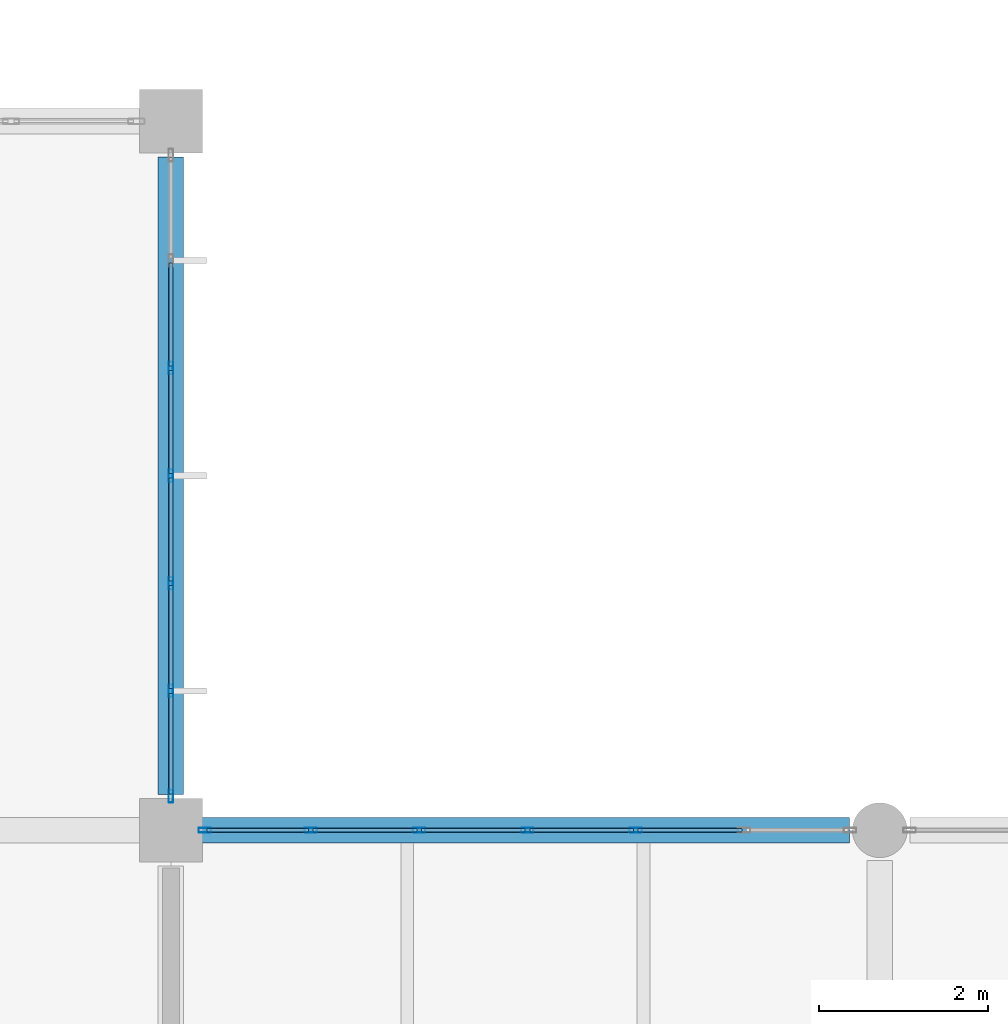
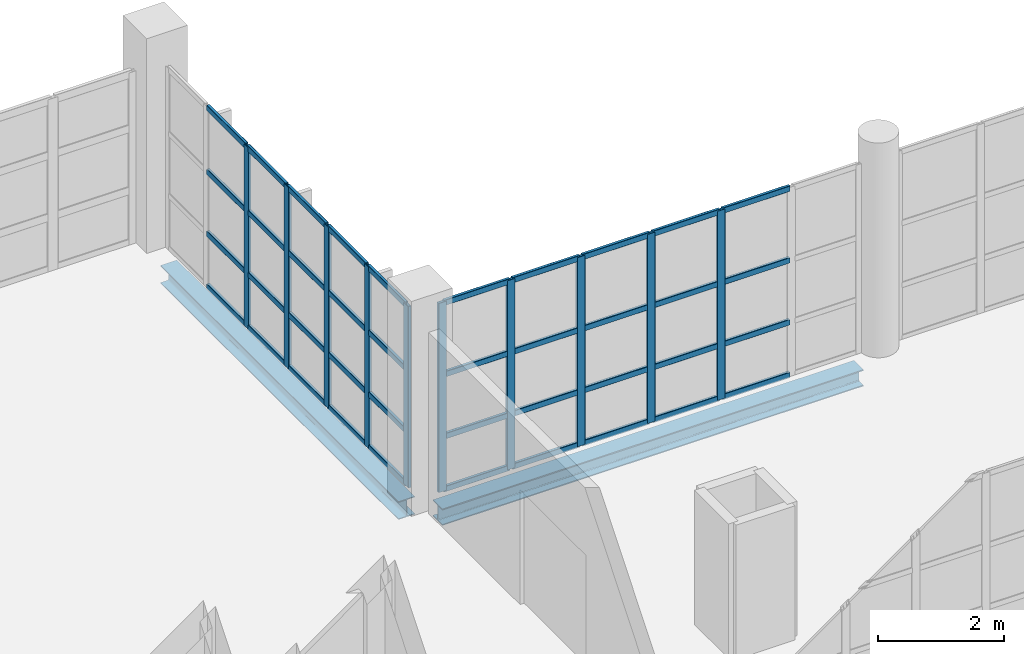
# One storey, part 76 of 177: 50 members, 2 beams, 2 elements without a shape of their own.
"""IFC4 building model written with IfcOpenShell, lengths in metres."""

import ifcopenshell
import ifcopenshell.guid

model = None  # the IFC model being written
_history = None  # IfcOwnerHistory: only IFC2X3 demands one
_inside = {}  # id of a spatial element -> (the spatial element, [elements in it])
_under = {}  # id of a project, library or spatial element -> (it, [spatial elements below it])
_declared = {}  # id of a project -> (the project, [libraries it declares])
_typed = {}  # id of a type object -> (the type object, [elements of that type])
_made_of = {}  # id of a material, layer set ... -> (it, [elements and type objects made of it])


def new_model(schema):
    """Start an empty IFC model of exactly this schema.

    Asked for "IFC4X3", IfcOpenShell would pick the latest addendum, in which some entities
    have other attributes; the version numbers below select the first issue.
    IFC2X3 requires an IfcOwnerHistory on every rooted entity: one is made here for all.
    """
    global model, _history
    if schema == "IFC4X3":
        model = ifcopenshell.file(schema_version=(4, 3, 0, 0))
    else:
        model = ifcopenshell.file(schema=schema)
    _inside.clear()
    _under.clear()
    _declared.clear()
    _typed.clear()
    _made_of.clear()
    _history = None
    if model.schema == "IFC2X3":
        org = make("IfcOrganization", Name="unknown")
        user = make(
            "IfcPersonAndOrganization",
            ThePerson=make("IfcPerson", FamilyName="unknown"),
            TheOrganization=org,
        )
        app = make(
            "IfcApplication",
            ApplicationDeveloper=org,
            Version="unknown",
            ApplicationFullName="unknown",
            ApplicationIdentifier="unknown",
        )
        _history = make(
            "IfcOwnerHistory",
            OwningUser=user,
            OwningApplication=app,
            ChangeAction="ADDED",
            CreationDate=0,
        )
    return model


def make(cls, **values):
    """One entity of the class cls with the attributes given. An attribute that is None is left unset."""
    return model.create_entity(
        cls, **{name: value for name, value in values.items() if value is not None}
    )


def rooted(cls, **values):
    """An entity with a GlobalId (a new one), such as an element, a storey or a relation."""
    return make(cls, GlobalId=ifcopenshell.guid.new(), OwnerHistory=_history, **values)


def si_unit(unit_type, name, prefix=None):
    """IfcSIUnit, for example si_unit("LENGTHUNIT", "METRE", prefix="MILLI")."""
    return make("IfcSIUnit", UnitType=unit_type, Prefix=prefix, Name=name)


def assignment(units):
    """IfcUnitAssignment: the units of a project."""
    return None if units is None else make("IfcUnitAssignment", Units=units)


def point(xyz):
    """IfcCartesianPoint."""
    return None if xyz is None else make("IfcCartesianPoint", Coordinates=xyz)


def direction(xyz):
    """IfcDirection."""
    return None if xyz is None else make("IfcDirection", DirectionRatios=xyz)


def frame(location, z_axis=None, x_axis=None):
    """IfcAxis2Placement3D, a coordinate frame: its origin and axes. An axis left out is left unset."""
    return make(
        "IfcAxis2Placement3D",
        Location=point(location),
        Axis=direction(z_axis),
        RefDirection=direction(x_axis),
    )


def frame_2d(location, x_axis=None):
    """IfcAxis2Placement2D, a coordinate frame in the plane: its origin and x axis."""
    return make(
        "IfcAxis2Placement2D", Location=point(location), RefDirection=direction(x_axis)
    )


def origin():
    """The frame at (0, 0, 0) with its axes left unset."""
    return frame((0.0, 0.0, 0.0))


def origin_2d():
    """The frame at (0, 0) in the plane with its x axis left unset."""
    return frame_2d((0.0, 0.0))


def place(relative_to, where):
    """IfcLocalPlacement: puts the frame where relative to a parent placement (None: the world)."""
    return make(
        "IfcLocalPlacement", PlacementRelTo=relative_to, RelativePlacement=where
    )


def context(
    kind, dimensions, precision=None, world=None, true_north=None, identifier=None
):
    """IfcGeometricRepresentationContext, for example the 3D "Model" context."""
    return make(
        "IfcGeometricRepresentationContext",
        ContextIdentifier=identifier,
        ContextType=kind,
        CoordinateSpaceDimension=dimensions,
        Precision=precision,
        WorldCoordinateSystem=world,
        TrueNorth=true_north,
    )


def subcontext(parent, identifier, kind, view, scale=None):
    """IfcGeometricRepresentationSubContext, for example "Body" below "Model"."""
    return make(
        "IfcGeometricRepresentationSubContext",
        ContextIdentifier=identifier,
        ContextType=kind,
        ParentContext=parent,
        TargetScale=scale,
        TargetView=view,
    )


def project(units=None, contexts=None):
    """IfcProject with its units and contexts."""
    return rooted(
        "IfcProject",
        Name="project",
        RepresentationContexts=contexts,
        UnitsInContext=assignment(units),
    )


def spatial(cls, under=None, at=None, **own):
    """A site, building, storey or space (cls), placed at a placement, below another one or the project."""
    s = rooted(cls, ObjectPlacement=at, **own)
    if under is not None:
        _under.setdefault(under.id(), (under, []))[1].append(s)
    return s


def profile(cls, at=None, kind="AREA", **sizes):
    """A parametric profile (cls). Its sizes go by their IFC names, for example OverallWidth=200.0."""
    return make(cls, ProfileType=kind, Position=at, **sizes)


def hollow_rectangle(**sizes):
    """IfcRectangleHollowProfileDef."""
    return profile("IfcRectangleHollowProfileDef", **sizes)


def i_section(**sizes):
    """IfcIShapeProfileDef."""
    return profile("IfcIShapeProfileDef", **sizes)


def extrude(swept, where, along, depth):
    """IfcExtrudedAreaSolid: the profile swept, set in the frame where, extruded along a direction by depth."""
    return make(
        "IfcExtrudedAreaSolid",
        SweptArea=swept,
        Position=where,
        ExtrudedDirection=direction(along),
        Depth=depth,
    )


def shape(context_of_items, identifier, shape_type, items):
    """IfcShapeRepresentation: the items that make up one representation, for example the "Body"."""
    return make(
        "IfcShapeRepresentation",
        ContextOfItems=context_of_items,
        RepresentationIdentifier=identifier,
        RepresentationType=shape_type,
        Items=items,
    )


def material(Name=None, Category=None):
    """IfcMaterial."""
    return make("IfcMaterial", Name=Name, Category=Category)


def layer(
    of_material, thickness, ventilated=None, Name=None, Category=None, Priority=None
):
    """IfcMaterialLayer: one layer of a wall or slab, of a material (None: an air gap)."""
    return make(
        "IfcMaterialLayer",
        Material=of_material,
        LayerThickness=thickness,
        IsVentilated=ventilated,
        Name=Name,
        Category=Category,
        Priority=Priority,
    )


def layer_set(layers, Name=None):
    """IfcMaterialLayerSet."""
    return make("IfcMaterialLayerSet", MaterialLayers=layers, LayerSetName=Name)


def material_profile(
    of_material, cross_section, Name=None, Category=None, Priority=None
):
    """IfcMaterialProfile: a cross section and its material."""
    return make(
        "IfcMaterialProfile",
        Name=Name,
        Material=of_material,
        Profile=cross_section,
        Priority=Priority,
        Category=Category,
    )


def profile_set(profiles, Name=None, composite=None):
    """IfcMaterialProfileSet."""
    return make(
        "IfcMaterialProfileSet",
        Name=Name,
        MaterialProfiles=profiles,
        CompositeProfile=composite,
    )


def made_of(thing, what):
    """Note that an element or type object is made of a material, layer set ...; save() writes the relation."""
    if what is not None:
        _made_of.setdefault(what.id(), (what, []))[1].append(thing)
    return thing


def type_object(cls, material=None, **own):
    """A type object (cls), such as IfcWallType, which elements share."""
    return made_of(rooted(cls, **own), material)


def element(
    cls,
    number,
    at=None,
    inside=None,
    cuts=None,
    type_object=None,
    material=None,
    context=None,
    identifier="Body",
    shape_type=None,
    held_by="IfcProductDefinitionShape",
    body=None,
    shapes=None,
    **own,
):
    """One element of the class cls, such as IfcWall. Its Tag is "e" and its number.

    at: its placement. inside: the storey or other place that contains it. cuts: it is an
    opening in that element (IfcRelVoidsElement). A single representation is given by context,
    identifier, shape_type and body (its items); several are given by shapes. held_by: the class
    of the entity that holds the representations. save() writes the other relations.
    """
    e = rooted(cls, Tag="e%d" % number, ObjectPlacement=at, **own)
    if body is not None:
        shapes = [shape(context, identifier, shape_type, body)]
    if shapes is not None:
        e.Representation = make(held_by, Representations=shapes)
    if inside is not None:
        _inside.setdefault(inside.id(), (inside, []))[1].append(e)
    if cuts is not None:
        rooted(
            "IfcRelVoidsElement", RelatingBuildingElement=cuts, RelatedOpeningElement=e
        )
    if type_object is not None:
        _typed.setdefault(type_object.id(), (type_object, []))[1].append(e)
    return made_of(e, material)


def aggregate(whole, parts):
    """IfcRelAggregates: a whole, such as a stair, and the parts it consists of."""
    return rooted("IfcRelAggregates", RelatingObject=whole, RelatedObjects=parts)


def save(model, path):
    """Write the relations noted so far, then the file.

    IfcRelAggregates (storeys below a building ...), IfcRelContainedInSpatialStructure (elements
    in a storey), IfcRelDefinesByType, IfcRelAssociatesMaterial and IfcRelDeclares: one each for
    every whole, place, type object, material and project.
    """
    for whole, parts in _under.values():
        aggregate(whole, parts)
    for where, things in _inside.values():
        rooted(
            "IfcRelContainedInSpatialStructure",
            RelatedElements=things,
            RelatingStructure=where,
        )
    for kind, things in _typed.values():
        rooted("IfcRelDefinesByType", RelatedObjects=things, RelatingType=kind)
    for what, things in _made_of.values():
        rooted("IfcRelAssociatesMaterial", RelatedObjects=things, RelatingMaterial=what)
    for by, libraries in _declared.values():
        rooted("IfcRelDeclares", RelatingContext=by, RelatedDefinitions=libraries)
    model.write(path)


model = new_model("IFC4")

# Units and contexts
model_context = context("Model", 3, precision=1e-05, world=origin(), true_north=direction((0.0, 1.0)))
body_context = subcontext(model_context, "Body", "Model", "MODEL_VIEW")
ifc_project = project(units=[si_unit("LENGTHUNIT", "METRE"), si_unit("AREAUNIT", "SQUARE_METRE"), si_unit("VOLUMEUNIT", "CUBIC_METRE"), si_unit("PLANEANGLEUNIT", "RADIAN"), si_unit("MASSUNIT", "GRAM", prefix="KILO"), si_unit("THERMODYNAMICTEMPERATUREUNIT", "KELVIN"), si_unit("POWERUNIT", "WATT")], contexts=[model_context])

# Site, building, storey
site_placement = place(None, origin())
site = spatial("IfcSite", under=ifc_project, at=site_placement, CompositionType="ELEMENT")
building_placement = place(site_placement, origin())
building = spatial("IfcBuilding", under=site, at=building_placement, Name="Mavoryth Pier Ferry Terminal", CompositionType="ELEMENT")
storey_placement = place(building_placement, frame((0.0, 0.0, 5.43994140625)))
storey = spatial("IfcBuildingStorey", under=building, at=storey_placement, Name="L01", CompositionType="ELEMENT", Elevation=5.43994140625)

# Curtain wall, members
ifc_material_1 = material(Name="Anodised Aluminium and Solar-Control Low-E Glass", Category="aluminium")
ifc_layer_1 = layer(ifc_material_1, 0.199951171875, Name="Anodised Aluminium and Solar-Control Low-E Glass", Category="aluminium")
ifc_layer_set_1 = layer_set([ifc_layer_1], Name="Anodised Aluminium and Solar-Control Low-E Glass - CW-Concourse-Mod1200")
curtain_wall_type_1 = type_object("IfcCurtainWallType", Name="CW-Concourse-Mod1200", PredefinedType="USERDEFINED", material=ifc_layer_set_1)
curtain_wall_1_placement = place(storey_placement, origin())
curtain_wall_1 = element("IfcCurtainWall", 1, at=curtain_wall_1_placement, inside=storey, type_object=curtain_wall_type_1, Name="Curtain Wall CW-0111-033", ObjectType="UNITISED CURTAIN WALL", PredefinedType="USERDEFINED")
ifc_material_2 = material(Name="Anodised Aluminium EN AW-6063", Category="aluminium")
ifc_material_profile_1 = material_profile(ifc_material_2, hollow_rectangle(XDim=0.054931640625, YDim=0.14990234375, WallThickness=0.00390625, InnerFilletRadius=0.00390625, OuterFilletRadius=0.008056640625, at=origin_2d()), Name="AL-MULL 150x55x4", Category="aluminium")
ifc_profile_set_1 = profile_set([ifc_material_profile_1], Name="Anodised Aluminium EN AW-6063 - AL-MULL 150x55x4")
member_type_1 = type_object("IfcMemberType", Name="Mullion-Alum-150x55", PredefinedType="MULLION", material=ifc_profile_set_1)
member_1_placement = place(storey_placement, frame((33.60009765625, 98.00244140625, 0.0), z_axis=(0.0, 0.0, 1.0), x_axis=(-1.0, 0.0, 0.0)))
member_1 = element("IfcMember", 2, at=member_1_placement, type_object=member_type_1, Name="CW02 mullion 1", PredefinedType="MULLION", context=body_context, shape_type="SweptSolid", body=[
    extrude(hollow_rectangle(XDim=0.054931640625, YDim=0.14990234375, WallThickness=0.00390625, InnerFilletRadius=0.00390625, OuterFilletRadius=0.008056640625, at=origin_2d()), origin(), (0.0, 0.0, 1.0), 3.51513671875),
])
member_2_placement = place(storey_placement, frame((33.60009765625, 99.25, 0.0), z_axis=(0.0, 0.0, 1.0), x_axis=(-1.0, 0.0, 0.0)))
member_2 = element("IfcMember", 3, at=member_2_placement, type_object=member_type_1, Name="CW02 mullion 2", PredefinedType="MULLION", context=body_context, shape_type="SweptSolid", body=[
    extrude(hollow_rectangle(XDim=0.054931640625, YDim=0.14990234375, WallThickness=0.00390625, InnerFilletRadius=0.00390625, OuterFilletRadius=0.008056640625, at=origin_2d()), origin(), (0.0, 0.0, 1.0), 3.51513671875),
])
member_3_placement = place(storey_placement, frame((33.60009765625, 100.52490234375, 0.0), z_axis=(0.0, 0.0, 1.0), x_axis=(-1.0, 0.0, 0.0)))
member_3 = element("IfcMember", 4, at=member_3_placement, type_object=member_type_1, Name="CW02 mullion 3", PredefinedType="MULLION", context=body_context, shape_type="SweptSolid", body=[
    extrude(hollow_rectangle(XDim=0.054931640625, YDim=0.14990234375, WallThickness=0.00390625, InnerFilletRadius=0.00390625, OuterFilletRadius=0.008056640625, at=origin_2d()), origin(), (0.0, 0.0, 1.0), 3.51513671875),
])
member_4_placement = place(storey_placement, frame((33.60009765625, 101.800048828125, 0.0), z_axis=(0.0, 0.0, 1.0), x_axis=(-1.0, 0.0, 0.0)))
member_4 = element("IfcMember", 5, at=member_4_placement, type_object=member_type_1, Name="CW02 mullion 4", PredefinedType="MULLION", context=body_context, shape_type="SweptSolid", body=[
    extrude(hollow_rectangle(XDim=0.054931640625, YDim=0.14990234375, WallThickness=0.00390625, InnerFilletRadius=0.00390625, OuterFilletRadius=0.008056640625, at=origin_2d()), origin(), (0.0, 0.0, 1.0), 3.51513671875),
])
member_5_placement = place(storey_placement, frame((33.60009765625, 103.074951171875, 0.0), z_axis=(0.0, 0.0, 1.0), x_axis=(-1.0, 0.0, 0.0)))
member_5 = element("IfcMember", 6, at=member_5_placement, type_object=member_type_1, Name="CW02 mullion 5", PredefinedType="MULLION", context=body_context, shape_type="SweptSolid", body=[
    extrude(hollow_rectangle(XDim=0.054931640625, YDim=0.14990234375, WallThickness=0.00390625, InnerFilletRadius=0.00390625, OuterFilletRadius=0.008056640625, at=origin_2d()), origin(), (0.0, 0.0, 1.0), 3.51513671875),
])

ifc_layer_2 = layer(ifc_material_1, 0.1201171875, Name="Anodised Aluminium and Solar-Control Low-E Glass", Category="aluminium")
ifc_layer_set_2 = layer_set([ifc_layer_2], Name="Anodised Aluminium and Solar-Control Low-E Glass - CW-BridgeLink-Mod1400")
curtain_wall_type_2 = type_object("IfcCurtainWallType", Name="CW-BridgeLink-Mod1400", PredefinedType="USERDEFINED", material=ifc_layer_set_2)
curtain_wall_2_placement = place(storey_placement, origin())
curtain_wall_2 = element("IfcCurtainWall", 7, at=curtain_wall_2_placement, inside=storey, type_object=curtain_wall_type_2, Name="Curtain Wall CW-0111-099", ObjectType="UNITISED CURTAIN WALL", PredefinedType="USERDEFINED")
member_6_placement = place(storey_placement, frame((34.00244140625, 97.60009765625, 0.0), z_axis=(0.0, 0.0, 1.0), x_axis=(0.0, 1.0, 0.0)))
member_6 = element("IfcMember", 8, at=member_6_placement, type_object=member_type_1, Name="CW08 mullion 1", PredefinedType="MULLION", context=body_context, shape_type="SweptSolid", body=[
    extrude(hollow_rectangle(XDim=0.054931640625, YDim=0.14990234375, WallThickness=0.00390625, InnerFilletRadius=0.00390625, OuterFilletRadius=0.008056640625, at=origin_2d()), origin(), (0.0, 0.0, 1.0), 3.6650390625),
])
member_7_placement = place(storey_placement, frame((35.25830078125, 97.60009765625, 0.0), z_axis=(0.0, 0.0, 1.0), x_axis=(0.0, 1.0, 0.0)))
member_7 = element("IfcMember", 9, at=member_7_placement, type_object=member_type_1, Name="CW08 mullion 2", PredefinedType="MULLION", context=body_context, shape_type="SweptSolid", body=[
    extrude(hollow_rectangle(XDim=0.054931640625, YDim=0.14990234375, WallThickness=0.00390625, InnerFilletRadius=0.00390625, OuterFilletRadius=0.008056640625, at=origin_2d()), origin(), (0.0, 0.0, 1.0), 3.6650390625),
])
member_8_placement = place(storey_placement, frame((36.541748046875, 97.60009765625, 0.0), z_axis=(0.0, 0.0, 1.0), x_axis=(0.0, 1.0, 0.0)))
member_8 = element("IfcMember", 10, at=member_8_placement, type_object=member_type_1, Name="CW08 mullion 3", PredefinedType="MULLION", context=body_context, shape_type="SweptSolid", body=[
    extrude(hollow_rectangle(XDim=0.054931640625, YDim=0.14990234375, WallThickness=0.00390625, InnerFilletRadius=0.00390625, OuterFilletRadius=0.008056640625, at=origin_2d()), origin(), (0.0, 0.0, 1.0), 3.6650390625),
])
member_9_placement = place(storey_placement, frame((37.824951171875, 97.60009765625, 0.0), z_axis=(0.0, 0.0, 1.0), x_axis=(0.0, 1.0, 0.0)))
member_9 = element("IfcMember", 11, at=member_9_placement, type_object=member_type_1, Name="CW08 mullion 4", PredefinedType="MULLION", context=body_context, shape_type="SweptSolid", body=[
    extrude(hollow_rectangle(XDim=0.054931640625, YDim=0.14990234375, WallThickness=0.00390625, InnerFilletRadius=0.00390625, OuterFilletRadius=0.008056640625, at=origin_2d()), origin(), (0.0, 0.0, 1.0), 3.6650390625),
])
member_10_placement = place(storey_placement, frame((39.1083984375, 97.60009765625, 0.0), z_axis=(0.0, 0.0, 1.0), x_axis=(0.0, 1.0, 0.0)))
member_10 = element("IfcMember", 12, at=member_10_placement, type_object=member_type_1, Name="CW08 mullion 5", PredefinedType="MULLION", context=body_context, shape_type="SweptSolid", body=[
    extrude(hollow_rectangle(XDim=0.054931640625, YDim=0.14990234375, WallThickness=0.00390625, InnerFilletRadius=0.00390625, OuterFilletRadius=0.008056640625, at=origin_2d()), origin(), (0.0, 0.0, 1.0), 3.6650390625),
])

# Beams
ifc_material_3 = material(Name="Steel S355J2", Category="steel")
ifc_material_profile_2 = material_profile(ifc_material_3, i_section(OverallWidth=0.300048828125, OverallDepth=0.35009765625, WebThickness=0.010009765625, FlangeThickness=0.017578125, FilletRadius=0.027099609375, at=origin_2d()), Name="HEA 360", Category="steel")
ifc_profile_set_2 = profile_set([ifc_material_profile_2], Name="Steel S355J2 - HEA 360")
beam_type_1 = type_object("IfcBeamType", Name="Spandrel-Steel-HEA360", PredefinedType="SPANDREL", material=ifc_profile_set_2)
beam_1_placement = place(storey_placement, frame((33.60009765625, 98.02490234375, -0.454833984375), z_axis=(0.0, 1.0, 0.0), x_axis=(-1.0, 0.0, 0.0)))
element("IfcBeam", 13, at=beam_1_placement, inside=storey, type_object=beam_type_1, Name="Beam B01-SP03-0110", PredefinedType="SPANDREL", context=body_context, shape_type="SweptSolid", body=[
    extrude(i_section(OverallWidth=0.300048828125, OverallDepth=0.35009765625, WebThickness=0.010009765625, FlangeThickness=0.017578125, FilletRadius=0.027099609375, at=origin_2d()), origin(), (0.0, 0.0, 1.0), 7.550048828125),
])
ifc_material_profile_3 = material_profile(ifc_material_3, i_section(OverallWidth=0.300048828125, OverallDepth=0.320068359375, WebThickness=0.011474609375, FlangeThickness=0.0205078125, FilletRadius=0.027099609375, at=origin_2d()), Name="HEB 320", Category="steel")
ifc_profile_set_3 = profile_set([ifc_material_profile_3], Name="Steel S355J2 - HEB 320")
beam_type_2 = type_object("IfcBeamType", Name="Spandrel-Steel-HEB320", PredefinedType="SPANDREL", material=ifc_profile_set_3)
beam_2_placement = place(storey_placement, frame((33.925048828125, 97.60009765625, -0.39990234375), z_axis=(1.0, 0.0, 0.0), x_axis=(0.0, 1.0, 0.0)))
element("IfcBeam", 14, at=beam_2_placement, inside=storey, type_object=beam_type_2, Name="Beam B01-SP04-0151", PredefinedType="SPANDREL", context=body_context, shape_type="SweptSolid", body=[
    extrude(i_section(OverallWidth=0.300048828125, OverallDepth=0.320068359375, WebThickness=0.011474609375, FlangeThickness=0.0205078125, FilletRadius=0.027099609375, at=origin_2d()), origin(), (0.0, 0.0, 1.0), 7.71484375),
])

# Member
ifc_material_profile_4 = material_profile(ifc_material_2, hollow_rectangle(XDim=0.054931640625, YDim=0.110107421875, WallThickness=0.00390625, InnerFilletRadius=0.00390625, OuterFilletRadius=0.008056640625, at=origin_2d()), Name="AL-TRAN 110x55x4", Category="aluminium")
ifc_profile_set_4 = profile_set([ifc_material_profile_4], Name="Anodised Aluminium EN AW-6063 - AL-TRAN 110x55x4")
member_type_2 = type_object("IfcMemberType", Name="Transom-Alum-110x55", PredefinedType="USERDEFINED", material=ifc_profile_set_4)
member_11_placement = place(storey_placement, frame((33.60009765625, 98.030029296875, 0.027587890625), z_axis=(0.0, 1.0, 0.0), x_axis=(-1.0, 0.0, 0.0)))
member_11 = element("IfcMember", 15, at=member_11_placement, type_object=member_type_2, Name="CW02 transom 1.1", ObjectType="TRANSOM", PredefinedType="USERDEFINED", context=body_context, shape_type="SweptSolid", body=[
    extrude(hollow_rectangle(XDim=0.054931640625, YDim=0.110107421875, WallThickness=0.00390625, InnerFilletRadius=0.00390625, OuterFilletRadius=0.008056640625, at=origin_2d()), origin(), (0.0, 0.0, 1.0), 1.1923828125),
])

member_12_placement = place(storey_placement, frame((33.60009765625, 98.030029296875, 1.050048828125), z_axis=(0.0, 1.0, 0.0), x_axis=(-1.0, 0.0, 0.0)))
member_12 = element("IfcMember", 16, at=member_12_placement, type_object=member_type_2, Name="CW02 transom 1.2", ObjectType="TRANSOM", PredefinedType="USERDEFINED", context=body_context, shape_type="SweptSolid", body=[
    extrude(hollow_rectangle(XDim=0.054931640625, YDim=0.110107421875, WallThickness=0.00390625, InnerFilletRadius=0.00390625, OuterFilletRadius=0.008056640625, at=origin_2d()), origin(), (0.0, 0.0, 1.0), 1.1923828125),
])

member_13_placement = place(storey_placement, frame((33.60009765625, 98.030029296875, 2.25), z_axis=(0.0, 1.0, 0.0), x_axis=(-1.0, 0.0, 0.0)))
member_13 = element("IfcMember", 17, at=member_13_placement, type_object=member_type_2, Name="CW02 transom 1.3", ObjectType="TRANSOM", PredefinedType="USERDEFINED", context=body_context, shape_type="SweptSolid", body=[
    extrude(hollow_rectangle(XDim=0.054931640625, YDim=0.110107421875, WallThickness=0.00390625, InnerFilletRadius=0.00390625, OuterFilletRadius=0.008056640625, at=origin_2d()), origin(), (0.0, 0.0, 1.0), 1.1923828125),
])

member_14_placement = place(storey_placement, frame((33.60009765625, 98.030029296875, 3.487548828125), z_axis=(0.0, 1.0, 0.0), x_axis=(-1.0, 0.0, 0.0)))
member_14 = element("IfcMember", 18, at=member_14_placement, type_object=member_type_2, Name="CW02 transom 1.4", ObjectType="TRANSOM", PredefinedType="USERDEFINED", context=body_context, shape_type="SweptSolid", body=[
    extrude(hollow_rectangle(XDim=0.054931640625, YDim=0.110107421875, WallThickness=0.00390625, InnerFilletRadius=0.00390625, OuterFilletRadius=0.008056640625, at=origin_2d()), origin(), (0.0, 0.0, 1.0), 1.1923828125),
])

member_15_placement = place(storey_placement, frame((33.60009765625, 99.277587890625, 0.027587890625), z_axis=(0.0, 1.0, 0.0), x_axis=(-1.0, 0.0, 0.0)))
member_15 = element("IfcMember", 19, at=member_15_placement, type_object=member_type_2, Name="CW02 transom 2.1", ObjectType="TRANSOM", PredefinedType="USERDEFINED", context=body_context, shape_type="SweptSolid", body=[
    extrude(hollow_rectangle(XDim=0.054931640625, YDim=0.110107421875, WallThickness=0.00390625, InnerFilletRadius=0.00390625, OuterFilletRadius=0.008056640625, at=origin_2d()), origin(), (0.0, 0.0, 1.0), 1.219970703125),
])

member_16_placement = place(storey_placement, frame((33.60009765625, 99.277587890625, 1.050048828125), z_axis=(0.0, 1.0, 0.0), x_axis=(-1.0, 0.0, 0.0)))
member_16 = element("IfcMember", 20, at=member_16_placement, type_object=member_type_2, Name="CW02 transom 2.2", ObjectType="TRANSOM", PredefinedType="USERDEFINED", context=body_context, shape_type="SweptSolid", body=[
    extrude(hollow_rectangle(XDim=0.054931640625, YDim=0.110107421875, WallThickness=0.00390625, InnerFilletRadius=0.00390625, OuterFilletRadius=0.008056640625, at=origin_2d()), origin(), (0.0, 0.0, 1.0), 1.219970703125),
])

member_17_placement = place(storey_placement, frame((33.60009765625, 99.277587890625, 2.25), z_axis=(0.0, 1.0, 0.0), x_axis=(-1.0, 0.0, 0.0)))
member_17 = element("IfcMember", 21, at=member_17_placement, type_object=member_type_2, Name="CW02 transom 2.3", ObjectType="TRANSOM", PredefinedType="USERDEFINED", context=body_context, shape_type="SweptSolid", body=[
    extrude(hollow_rectangle(XDim=0.054931640625, YDim=0.110107421875, WallThickness=0.00390625, InnerFilletRadius=0.00390625, OuterFilletRadius=0.008056640625, at=origin_2d()), origin(), (0.0, 0.0, 1.0), 1.219970703125),
])

member_18_placement = place(storey_placement, frame((33.60009765625, 99.277587890625, 3.487548828125), z_axis=(0.0, 1.0, 0.0), x_axis=(-1.0, 0.0, 0.0)))
member_18 = element("IfcMember", 22, at=member_18_placement, type_object=member_type_2, Name="CW02 transom 2.4", ObjectType="TRANSOM", PredefinedType="USERDEFINED", context=body_context, shape_type="SweptSolid", body=[
    extrude(hollow_rectangle(XDim=0.054931640625, YDim=0.110107421875, WallThickness=0.00390625, InnerFilletRadius=0.00390625, OuterFilletRadius=0.008056640625, at=origin_2d()), origin(), (0.0, 0.0, 1.0), 1.219970703125),
])

member_19_placement = place(storey_placement, frame((33.60009765625, 100.552490234375, 0.027587890625), z_axis=(0.0, 1.0, 0.0), x_axis=(-1.0, 0.0, 0.0)))
member_19 = element("IfcMember", 23, at=member_19_placement, type_object=member_type_2, Name="CW02 transom 3.1", ObjectType="TRANSOM", PredefinedType="USERDEFINED", context=body_context, shape_type="SweptSolid", body=[
    extrude(hollow_rectangle(XDim=0.054931640625, YDim=0.110107421875, WallThickness=0.00390625, InnerFilletRadius=0.00390625, OuterFilletRadius=0.008056640625, at=origin_2d()), origin(), (0.0, 0.0, 1.0), 1.219970703125),
])

member_20_placement = place(storey_placement, frame((33.60009765625, 100.552490234375, 1.050048828125), z_axis=(0.0, 1.0, 0.0), x_axis=(-1.0, 0.0, 0.0)))
member_20 = element("IfcMember", 24, at=member_20_placement, type_object=member_type_2, Name="CW02 transom 3.2", ObjectType="TRANSOM", PredefinedType="USERDEFINED", context=body_context, shape_type="SweptSolid", body=[
    extrude(hollow_rectangle(XDim=0.054931640625, YDim=0.110107421875, WallThickness=0.00390625, InnerFilletRadius=0.00390625, OuterFilletRadius=0.008056640625, at=origin_2d()), origin(), (0.0, 0.0, 1.0), 1.219970703125),
])

member_21_placement = place(storey_placement, frame((33.60009765625, 100.552490234375, 2.25), z_axis=(0.0, 1.0, 0.0), x_axis=(-1.0, 0.0, 0.0)))
member_21 = element("IfcMember", 25, at=member_21_placement, type_object=member_type_2, Name="CW02 transom 3.3", ObjectType="TRANSOM", PredefinedType="USERDEFINED", context=body_context, shape_type="SweptSolid", body=[
    extrude(hollow_rectangle(XDim=0.054931640625, YDim=0.110107421875, WallThickness=0.00390625, InnerFilletRadius=0.00390625, OuterFilletRadius=0.008056640625, at=origin_2d()), origin(), (0.0, 0.0, 1.0), 1.219970703125),
])

member_22_placement = place(storey_placement, frame((33.60009765625, 100.552490234375, 3.487548828125), z_axis=(0.0, 1.0, 0.0), x_axis=(-1.0, 0.0, 0.0)))
member_22 = element("IfcMember", 26, at=member_22_placement, type_object=member_type_2, Name="CW02 transom 3.4", ObjectType="TRANSOM", PredefinedType="USERDEFINED", context=body_context, shape_type="SweptSolid", body=[
    extrude(hollow_rectangle(XDim=0.054931640625, YDim=0.110107421875, WallThickness=0.00390625, InnerFilletRadius=0.00390625, OuterFilletRadius=0.008056640625, at=origin_2d()), origin(), (0.0, 0.0, 1.0), 1.219970703125),
])

member_23_placement = place(storey_placement, frame((33.60009765625, 101.827392578125, 0.027587890625), z_axis=(0.0, 1.0, 0.0), x_axis=(-1.0, 0.0, 0.0)))
member_23 = element("IfcMember", 27, at=member_23_placement, type_object=member_type_2, Name="CW02 transom 4.1", ObjectType="TRANSOM", PredefinedType="USERDEFINED", context=body_context, shape_type="SweptSolid", body=[
    extrude(hollow_rectangle(XDim=0.054931640625, YDim=0.110107421875, WallThickness=0.00390625, InnerFilletRadius=0.00390625, OuterFilletRadius=0.008056640625, at=origin_2d()), origin(), (0.0, 0.0, 1.0), 1.22021484375),
])

member_24_placement = place(storey_placement, frame((33.60009765625, 101.827392578125, 1.050048828125), z_axis=(0.0, 1.0, 0.0), x_axis=(-1.0, 0.0, 0.0)))
member_24 = element("IfcMember", 28, at=member_24_placement, type_object=member_type_2, Name="CW02 transom 4.2", ObjectType="TRANSOM", PredefinedType="USERDEFINED", context=body_context, shape_type="SweptSolid", body=[
    extrude(hollow_rectangle(XDim=0.054931640625, YDim=0.110107421875, WallThickness=0.00390625, InnerFilletRadius=0.00390625, OuterFilletRadius=0.008056640625, at=origin_2d()), origin(), (0.0, 0.0, 1.0), 1.22021484375),
])

member_25_placement = place(storey_placement, frame((33.60009765625, 101.827392578125, 2.25), z_axis=(0.0, 1.0, 0.0), x_axis=(-1.0, 0.0, 0.0)))
member_25 = element("IfcMember", 29, at=member_25_placement, type_object=member_type_2, Name="CW02 transom 4.3", ObjectType="TRANSOM", PredefinedType="USERDEFINED", context=body_context, shape_type="SweptSolid", body=[
    extrude(hollow_rectangle(XDim=0.054931640625, YDim=0.110107421875, WallThickness=0.00390625, InnerFilletRadius=0.00390625, OuterFilletRadius=0.008056640625, at=origin_2d()), origin(), (0.0, 0.0, 1.0), 1.22021484375),
])

member_26_placement = place(storey_placement, frame((33.60009765625, 101.827392578125, 3.487548828125), z_axis=(0.0, 1.0, 0.0), x_axis=(-1.0, 0.0, 0.0)))
member_26 = element("IfcMember", 30, at=member_26_placement, type_object=member_type_2, Name="CW02 transom 4.4", ObjectType="TRANSOM", PredefinedType="USERDEFINED", context=body_context, shape_type="SweptSolid", body=[
    extrude(hollow_rectangle(XDim=0.054931640625, YDim=0.110107421875, WallThickness=0.00390625, InnerFilletRadius=0.00390625, OuterFilletRadius=0.008056640625, at=origin_2d()), origin(), (0.0, 0.0, 1.0), 1.22021484375),
])

member_27_placement = place(storey_placement, frame((33.60009765625, 103.1025390625, 0.027587890625), z_axis=(0.0, 1.0, 0.0), x_axis=(-1.0, 0.0, 0.0)))
member_27 = element("IfcMember", 31, at=member_27_placement, type_object=member_type_2, Name="CW02 transom 5.1", ObjectType="TRANSOM", PredefinedType="USERDEFINED", context=body_context, shape_type="SweptSolid", body=[
    extrude(hollow_rectangle(XDim=0.054931640625, YDim=0.110107421875, WallThickness=0.00390625, InnerFilletRadius=0.00390625, OuterFilletRadius=0.008056640625, at=origin_2d()), origin(), (0.0, 0.0, 1.0), 1.219970703125),
])

member_28_placement = place(storey_placement, frame((33.60009765625, 103.1025390625, 1.050048828125), z_axis=(0.0, 1.0, 0.0), x_axis=(-1.0, 0.0, 0.0)))
member_28 = element("IfcMember", 32, at=member_28_placement, type_object=member_type_2, Name="CW02 transom 5.2", ObjectType="TRANSOM", PredefinedType="USERDEFINED", context=body_context, shape_type="SweptSolid", body=[
    extrude(hollow_rectangle(XDim=0.054931640625, YDim=0.110107421875, WallThickness=0.00390625, InnerFilletRadius=0.00390625, OuterFilletRadius=0.008056640625, at=origin_2d()), origin(), (0.0, 0.0, 1.0), 1.219970703125),
])

member_29_placement = place(storey_placement, frame((33.60009765625, 103.1025390625, 2.25), z_axis=(0.0, 1.0, 0.0), x_axis=(-1.0, 0.0, 0.0)))
member_29 = element("IfcMember", 33, at=member_29_placement, type_object=member_type_2, Name="CW02 transom 5.3", ObjectType="TRANSOM", PredefinedType="USERDEFINED", context=body_context, shape_type="SweptSolid", body=[
    extrude(hollow_rectangle(XDim=0.054931640625, YDim=0.110107421875, WallThickness=0.00390625, InnerFilletRadius=0.00390625, OuterFilletRadius=0.008056640625, at=origin_2d()), origin(), (0.0, 0.0, 1.0), 1.219970703125),
])

member_30_placement = place(storey_placement, frame((33.60009765625, 103.1025390625, 3.487548828125), z_axis=(0.0, 1.0, 0.0), x_axis=(-1.0, 0.0, 0.0)))
member_30 = element("IfcMember", 34, at=member_30_placement, type_object=member_type_2, Name="CW02 transom 5.4", ObjectType="TRANSOM", PredefinedType="USERDEFINED", context=body_context, shape_type="SweptSolid", body=[
    extrude(hollow_rectangle(XDim=0.054931640625, YDim=0.110107421875, WallThickness=0.00390625, InnerFilletRadius=0.00390625, OuterFilletRadius=0.008056640625, at=origin_2d()), origin(), (0.0, 0.0, 1.0), 1.219970703125),
])

aggregate(curtain_wall_1, [member_1, member_2, member_3, member_4, member_5, member_11, member_12, member_13, member_14, member_15, member_16, member_17, member_18, member_19, member_20, member_21, member_22, member_23, member_24, member_25, member_26, member_27, member_28, member_29, member_30])

member_31_placement = place(storey_placement, frame((34.030029296875, 97.60009765625, 0.027587890625), z_axis=(1.0, 0.0, 0.0), x_axis=(0.0, 1.0, 0.0)))
member_31 = element("IfcMember", 35, at=member_31_placement, type_object=member_type_2, Name="CW08 transom 1.1", ObjectType="TRANSOM", PredefinedType="USERDEFINED", context=body_context, shape_type="SweptSolid", body=[
    extrude(hollow_rectangle(XDim=0.054931640625, YDim=0.110107421875, WallThickness=0.00390625, InnerFilletRadius=0.00390625, OuterFilletRadius=0.008056640625, at=origin_2d()), origin(), (0.0, 0.0, 1.0), 1.20068359375),
])

member_32_placement = place(storey_placement, frame((34.030029296875, 97.60009765625, 1.050048828125), z_axis=(1.0, 0.0, 0.0), x_axis=(0.0, 1.0, 0.0)))
member_32 = element("IfcMember", 36, at=member_32_placement, type_object=member_type_2, Name="CW08 transom 1.2", ObjectType="TRANSOM", PredefinedType="USERDEFINED", context=body_context, shape_type="SweptSolid", body=[
    extrude(hollow_rectangle(XDim=0.054931640625, YDim=0.110107421875, WallThickness=0.00390625, InnerFilletRadius=0.00390625, OuterFilletRadius=0.008056640625, at=origin_2d()), origin(), (0.0, 0.0, 1.0), 1.20068359375),
])

member_33_placement = place(storey_placement, frame((34.030029296875, 97.60009765625, 2.25), z_axis=(1.0, 0.0, 0.0), x_axis=(0.0, 1.0, 0.0)))
member_33 = element("IfcMember", 37, at=member_33_placement, type_object=member_type_2, Name="CW08 transom 1.3", ObjectType="TRANSOM", PredefinedType="USERDEFINED", context=body_context, shape_type="SweptSolid", body=[
    extrude(hollow_rectangle(XDim=0.054931640625, YDim=0.110107421875, WallThickness=0.00390625, InnerFilletRadius=0.00390625, OuterFilletRadius=0.008056640625, at=origin_2d()), origin(), (0.0, 0.0, 1.0), 1.20068359375),
])

member_34_placement = place(storey_placement, frame((34.030029296875, 97.60009765625, 3.637451171875), z_axis=(1.0, 0.0, 0.0), x_axis=(0.0, 1.0, 0.0)))
member_34 = element("IfcMember", 38, at=member_34_placement, type_object=member_type_2, Name="CW08 transom 1.4", ObjectType="TRANSOM", PredefinedType="USERDEFINED", context=body_context, shape_type="SweptSolid", body=[
    extrude(hollow_rectangle(XDim=0.054931640625, YDim=0.110107421875, WallThickness=0.00390625, InnerFilletRadius=0.00390625, OuterFilletRadius=0.008056640625, at=origin_2d()), origin(), (0.0, 0.0, 1.0), 1.20068359375),
])

member_35_placement = place(storey_placement, frame((35.285888671875, 97.60009765625, 0.027587890625), z_axis=(1.0, 0.0, 0.0), x_axis=(0.0, 1.0, 0.0)))
member_35 = element("IfcMember", 39, at=member_35_placement, type_object=member_type_2, Name="CW08 transom 2.1", ObjectType="TRANSOM", PredefinedType="USERDEFINED", context=body_context, shape_type="SweptSolid", body=[
    extrude(hollow_rectangle(XDim=0.054931640625, YDim=0.110107421875, WallThickness=0.00390625, InnerFilletRadius=0.00390625, OuterFilletRadius=0.008056640625, at=origin_2d()), origin(), (0.0, 0.0, 1.0), 1.228271484375),
])

member_36_placement = place(storey_placement, frame((35.285888671875, 97.60009765625, 1.050048828125), z_axis=(1.0, 0.0, 0.0), x_axis=(0.0, 1.0, 0.0)))
member_36 = element("IfcMember", 40, at=member_36_placement, type_object=member_type_2, Name="CW08 transom 2.2", ObjectType="TRANSOM", PredefinedType="USERDEFINED", context=body_context, shape_type="SweptSolid", body=[
    extrude(hollow_rectangle(XDim=0.054931640625, YDim=0.110107421875, WallThickness=0.00390625, InnerFilletRadius=0.00390625, OuterFilletRadius=0.008056640625, at=origin_2d()), origin(), (0.0, 0.0, 1.0), 1.228271484375),
])

member_37_placement = place(storey_placement, frame((35.285888671875, 97.60009765625, 2.25), z_axis=(1.0, 0.0, 0.0), x_axis=(0.0, 1.0, 0.0)))
member_37 = element("IfcMember", 41, at=member_37_placement, type_object=member_type_2, Name="CW08 transom 2.3", ObjectType="TRANSOM", PredefinedType="USERDEFINED", context=body_context, shape_type="SweptSolid", body=[
    extrude(hollow_rectangle(XDim=0.054931640625, YDim=0.110107421875, WallThickness=0.00390625, InnerFilletRadius=0.00390625, OuterFilletRadius=0.008056640625, at=origin_2d()), origin(), (0.0, 0.0, 1.0), 1.228271484375),
])

member_38_placement = place(storey_placement, frame((35.285888671875, 97.60009765625, 3.637451171875), z_axis=(1.0, 0.0, 0.0), x_axis=(0.0, 1.0, 0.0)))
member_38 = element("IfcMember", 42, at=member_38_placement, type_object=member_type_2, Name="CW08 transom 2.4", ObjectType="TRANSOM", PredefinedType="USERDEFINED", context=body_context, shape_type="SweptSolid", body=[
    extrude(hollow_rectangle(XDim=0.054931640625, YDim=0.110107421875, WallThickness=0.00390625, InnerFilletRadius=0.00390625, OuterFilletRadius=0.008056640625, at=origin_2d()), origin(), (0.0, 0.0, 1.0), 1.228271484375),
])

member_39_placement = place(storey_placement, frame((36.569091796875, 97.60009765625, 0.027587890625), z_axis=(1.0, 0.0, 0.0), x_axis=(0.0, 1.0, 0.0)))
member_39 = element("IfcMember", 43, at=member_39_placement, type_object=member_type_2, Name="CW08 transom 3.1", ObjectType="TRANSOM", PredefinedType="USERDEFINED", context=body_context, shape_type="SweptSolid", body=[
    extrude(hollow_rectangle(XDim=0.054931640625, YDim=0.110107421875, WallThickness=0.00390625, InnerFilletRadius=0.00390625, OuterFilletRadius=0.008056640625, at=origin_2d()), origin(), (0.0, 0.0, 1.0), 1.228515625),
])

member_40_placement = place(storey_placement, frame((36.569091796875, 97.60009765625, 1.050048828125), z_axis=(1.0, 0.0, 0.0), x_axis=(0.0, 1.0, 0.0)))
member_40 = element("IfcMember", 44, at=member_40_placement, type_object=member_type_2, Name="CW08 transom 3.2", ObjectType="TRANSOM", PredefinedType="USERDEFINED", context=body_context, shape_type="SweptSolid", body=[
    extrude(hollow_rectangle(XDim=0.054931640625, YDim=0.110107421875, WallThickness=0.00390625, InnerFilletRadius=0.00390625, OuterFilletRadius=0.008056640625, at=origin_2d()), origin(), (0.0, 0.0, 1.0), 1.228515625),
])

member_41_placement = place(storey_placement, frame((36.569091796875, 97.60009765625, 2.25), z_axis=(1.0, 0.0, 0.0), x_axis=(0.0, 1.0, 0.0)))
member_41 = element("IfcMember", 45, at=member_41_placement, type_object=member_type_2, Name="CW08 transom 3.3", ObjectType="TRANSOM", PredefinedType="USERDEFINED", context=body_context, shape_type="SweptSolid", body=[
    extrude(hollow_rectangle(XDim=0.054931640625, YDim=0.110107421875, WallThickness=0.00390625, InnerFilletRadius=0.00390625, OuterFilletRadius=0.008056640625, at=origin_2d()), origin(), (0.0, 0.0, 1.0), 1.228515625),
])

member_42_placement = place(storey_placement, frame((36.569091796875, 97.60009765625, 3.637451171875), z_axis=(1.0, 0.0, 0.0), x_axis=(0.0, 1.0, 0.0)))
member_42 = element("IfcMember", 46, at=member_42_placement, type_object=member_type_2, Name="CW08 transom 3.4", ObjectType="TRANSOM", PredefinedType="USERDEFINED", context=body_context, shape_type="SweptSolid", body=[
    extrude(hollow_rectangle(XDim=0.054931640625, YDim=0.110107421875, WallThickness=0.00390625, InnerFilletRadius=0.00390625, OuterFilletRadius=0.008056640625, at=origin_2d()), origin(), (0.0, 0.0, 1.0), 1.228515625),
])

member_43_placement = place(storey_placement, frame((37.8525390625, 97.60009765625, 0.027587890625), z_axis=(1.0, 0.0, 0.0), x_axis=(0.0, 1.0, 0.0)))
member_43 = element("IfcMember", 47, at=member_43_placement, type_object=member_type_2, Name="CW08 transom 4.1", ObjectType="TRANSOM", PredefinedType="USERDEFINED", context=body_context, shape_type="SweptSolid", body=[
    extrude(hollow_rectangle(XDim=0.054931640625, YDim=0.110107421875, WallThickness=0.00390625, InnerFilletRadius=0.00390625, OuterFilletRadius=0.008056640625, at=origin_2d()), origin(), (0.0, 0.0, 1.0), 1.228271484375),
])

member_44_placement = place(storey_placement, frame((37.8525390625, 97.60009765625, 1.050048828125), z_axis=(1.0, 0.0, 0.0), x_axis=(0.0, 1.0, 0.0)))
member_44 = element("IfcMember", 48, at=member_44_placement, type_object=member_type_2, Name="CW08 transom 4.2", ObjectType="TRANSOM", PredefinedType="USERDEFINED", context=body_context, shape_type="SweptSolid", body=[
    extrude(hollow_rectangle(XDim=0.054931640625, YDim=0.110107421875, WallThickness=0.00390625, InnerFilletRadius=0.00390625, OuterFilletRadius=0.008056640625, at=origin_2d()), origin(), (0.0, 0.0, 1.0), 1.228271484375),
])

member_45_placement = place(storey_placement, frame((37.8525390625, 97.60009765625, 2.25), z_axis=(1.0, 0.0, 0.0), x_axis=(0.0, 1.0, 0.0)))
member_45 = element("IfcMember", 49, at=member_45_placement, type_object=member_type_2, Name="CW08 transom 4.3", ObjectType="TRANSOM", PredefinedType="USERDEFINED", context=body_context, shape_type="SweptSolid", body=[
    extrude(hollow_rectangle(XDim=0.054931640625, YDim=0.110107421875, WallThickness=0.00390625, InnerFilletRadius=0.00390625, OuterFilletRadius=0.008056640625, at=origin_2d()), origin(), (0.0, 0.0, 1.0), 1.228271484375),
])

member_46_placement = place(storey_placement, frame((37.8525390625, 97.60009765625, 3.637451171875), z_axis=(1.0, 0.0, 0.0), x_axis=(0.0, 1.0, 0.0)))
member_46 = element("IfcMember", 50, at=member_46_placement, type_object=member_type_2, Name="CW08 transom 4.4", ObjectType="TRANSOM", PredefinedType="USERDEFINED", context=body_context, shape_type="SweptSolid", body=[
    extrude(hollow_rectangle(XDim=0.054931640625, YDim=0.110107421875, WallThickness=0.00390625, InnerFilletRadius=0.00390625, OuterFilletRadius=0.008056640625, at=origin_2d()), origin(), (0.0, 0.0, 1.0), 1.228271484375),
])

member_47_placement = place(storey_placement, frame((39.1357421875, 97.60009765625, 0.027587890625), z_axis=(1.0, 0.0, 0.0), x_axis=(0.0, 1.0, 0.0)))
member_47 = element("IfcMember", 51, at=member_47_placement, type_object=member_type_2, Name="CW08 transom 5.1", ObjectType="TRANSOM", PredefinedType="USERDEFINED", context=body_context, shape_type="SweptSolid", body=[
    extrude(hollow_rectangle(XDim=0.054931640625, YDim=0.110107421875, WallThickness=0.00390625, InnerFilletRadius=0.00390625, OuterFilletRadius=0.008056640625, at=origin_2d()), origin(), (0.0, 0.0, 1.0), 1.228515625),
])

member_48_placement = place(storey_placement, frame((39.1357421875, 97.60009765625, 1.050048828125), z_axis=(1.0, 0.0, 0.0), x_axis=(0.0, 1.0, 0.0)))
member_48 = element("IfcMember", 52, at=member_48_placement, type_object=member_type_2, Name="CW08 transom 5.2", ObjectType="TRANSOM", PredefinedType="USERDEFINED", context=body_context, shape_type="SweptSolid", body=[
    extrude(hollow_rectangle(XDim=0.054931640625, YDim=0.110107421875, WallThickness=0.00390625, InnerFilletRadius=0.00390625, OuterFilletRadius=0.008056640625, at=origin_2d()), origin(), (0.0, 0.0, 1.0), 1.228515625),
])

member_49_placement = place(storey_placement, frame((39.1357421875, 97.60009765625, 2.25), z_axis=(1.0, 0.0, 0.0), x_axis=(0.0, 1.0, 0.0)))
member_49 = element("IfcMember", 53, at=member_49_placement, type_object=member_type_2, Name="CW08 transom 5.3", ObjectType="TRANSOM", PredefinedType="USERDEFINED", context=body_context, shape_type="SweptSolid", body=[
    extrude(hollow_rectangle(XDim=0.054931640625, YDim=0.110107421875, WallThickness=0.00390625, InnerFilletRadius=0.00390625, OuterFilletRadius=0.008056640625, at=origin_2d()), origin(), (0.0, 0.0, 1.0), 1.228515625),
])

member_50_placement = place(storey_placement, frame((39.1357421875, 97.60009765625, 3.637451171875), z_axis=(1.0, 0.0, 0.0), x_axis=(0.0, 1.0, 0.0)))
member_50 = element("IfcMember", 54, at=member_50_placement, type_object=member_type_2, Name="CW08 transom 5.4", ObjectType="TRANSOM", PredefinedType="USERDEFINED", context=body_context, shape_type="SweptSolid", body=[
    extrude(hollow_rectangle(XDim=0.054931640625, YDim=0.110107421875, WallThickness=0.00390625, InnerFilletRadius=0.00390625, OuterFilletRadius=0.008056640625, at=origin_2d()), origin(), (0.0, 0.0, 1.0), 1.228515625),
])

aggregate(curtain_wall_2, [member_6, member_7, member_8, member_9, member_10, member_31, member_32, member_33, member_34, member_35, member_36, member_37, member_38, member_39, member_40, member_41, member_42, member_43, member_44, member_45, member_46, member_47, member_48, member_49, member_50])

save(model, "model.ifc")
